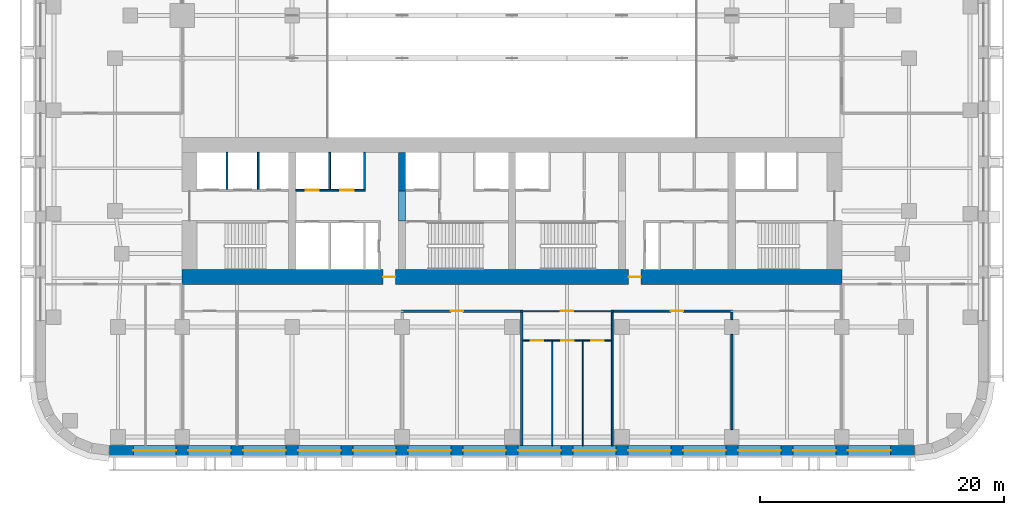
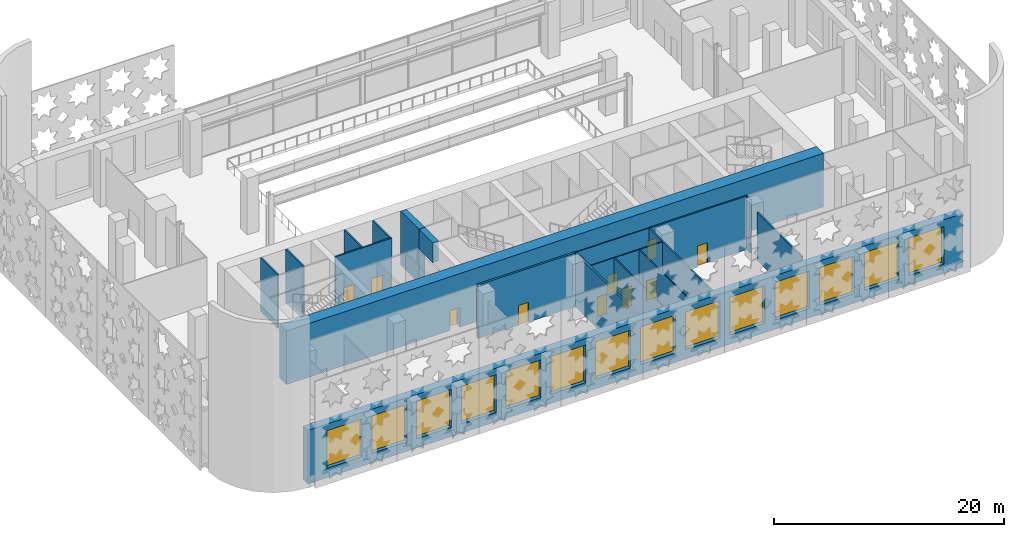
# One storey, part 5 of 17: 19 walls, 14 windows, 10 doors, 24 openings.
"""IFC4 building model written with IfcOpenShell, lengths in metres."""

from ifc_helpers import new_model, si_unit, direction, frame, frame_2d, origin, place, context, subcontext, project, spatial, rectangle, extrude, material, layer, layer_set, type_object, element, fill, save


model = new_model("IFC4")

# Units and contexts
model_context = context("Model", 3, precision=1e-05, world=origin(), true_north=direction((0.0, 1.0)))
body_context = subcontext(model_context, "Body", "Model", "MODEL_VIEW")
ifc_project = project(units=[si_unit("LENGTHUNIT", "METRE"), si_unit("AREAUNIT", "SQUARE_METRE"), si_unit("VOLUMEUNIT", "CUBIC_METRE"), si_unit("PLANEANGLEUNIT", "RADIAN"), si_unit("MASSUNIT", "GRAM", prefix="KILO")], contexts=[model_context])

# Site, building, storey
site_placement = place(None, origin())
site = spatial("IfcSite", under=ifc_project, at=site_placement, CompositionType="ELEMENT")
building_placement = place(site_placement, origin())
building = spatial("IfcBuilding", under=site, at=building_placement, Name="Zellij Exchange Tower", CompositionType="ELEMENT")
storey_placement = place(building_placement, frame((0.0, 0.0, 21.0)))
storey = spatial("IfcBuildingStorey", under=building, at=storey_placement, Name="L03", CompositionType="ELEMENT", Elevation=21.0)

# Walls
ifc_material_1 = material(Name="Concrete C70/85", Category="concrete")
ifc_layer_1 = layer(ifc_material_1, 0.60009765625)
ifc_layer_set_1 = layer_set([ifc_layer_1], Name="Concrete C70/85")
wall_type_1 = type_object("IfcWallType", Name="CORE-CW 600 C70/85", PredefinedType="SHEAR", material=ifc_layer_set_1)
wall_1_placement = place(storey_placement, frame((-9.0, -6.375, 0.0), z_axis=(0.0, 0.0, 1.0), x_axis=(0.0, 1.0, 0.0)))
element("IfcWall", 1, at=wall_1_placement, inside=storey, type_object=wall_type_1, Name="Core cross wall pier x -9 b L03", PredefinedType="SHEAR", context=body_context, shape_type="SweptSolid", body=[
    extrude(rectangle(XDim=3.175048828125, YDim=0.60009765625, at=frame_2d((1.58740234375, 0.0))), origin(), (0.0, 0.0, 1.0), 5.699951171875),
])
wall_2_placement = place(storey_placement, frame((-9.0, -8.800048828125, 3.60009765625), z_axis=(0.0, 0.0, 1.0), x_axis=(0.0, 1.0, 0.0)))
element("IfcWall", 2, at=wall_2_placement, inside=storey, type_object=wall_type_1, Name="Core cross wall over opening x -9 L03", PredefinedType="SHEAR", context=body_context, shape_type="SweptSolid", body=[
    extrude(rectangle(XDim=2.425048828125, YDim=0.60009765625, at=frame_2d((1.21240234375, 0.0))), origin(), (0.0, 0.0, 1.0), 2.099853515625),
])
ifc_material_2 = material(Name="Gypsum shaft wall system")
ifc_layer_2 = layer(ifc_material_2, 0.14990234375)
ifc_layer_set_2 = layer_set([ifc_layer_2], Name="Gypsum shaft wall system")
wall_type_2 = type_object("IfcWallType", Name="CORE-PW 150 Lift shaft wall", PredefinedType="PARTITIONING", material=ifc_layer_set_2)
for number, where, z_axis, x_axis, name in (
    (3, (-20.77490234375, -6.22509765625, 0.0), (0.0, 0.0, 1.0), (0.0, 1.0, 0.0), "Lift shaft wall L03"),
    (4, (-23.324951171875, -6.22509765625, 0.0), (0.0, 0.0, 1.0), (0.0, 1.0, 0.0), "Lift shaft wall L03"),
    (5, (-12.074951171875, -6.22509765625, 0.0), (0.0, 0.0, 1.0), (0.0, 1.0, 0.0), "Lift shaft wall L03"),
    (6, (-14.925048828125, -6.22509765625, 0.0), (0.0, 0.0, 1.0), (0.0, 1.0, 0.0), "Lift shaft wall L03"),
):
    element("IfcWall", number, at=place(storey_placement, frame(where, z_axis=z_axis, x_axis=x_axis)), inside=storey, type_object=wall_type_2, Name=name, PredefinedType="PARTITIONING", context=body_context, shape_type="SweptSolid", body=[
        extrude(rectangle(XDim=3.025146484375, YDim=0.14990234375, at=frame_2d((1.5126953125, 0.0))), origin(), (0.0, 0.0, 1.0), 5.699951171875),
    ])

# Wall, openings, doors
wall_3_placement = place(storey_placement, frame((-17.699951171875, -6.300048828125, 0.0), z_axis=(0.0, 0.0, 1.0), x_axis=(1.0, 0.0, 0.0)))
wall_3 = element("IfcWall", 7, at=wall_3_placement, inside=storey, type_object=wall_type_2, Name="Lift shaft wall L03", PredefinedType="PARTITIONING", context=body_context, shape_type="SweptSolid", body=[
    extrude(rectangle(XDim=5.699951171875, YDim=0.14990234375, at=frame_2d((2.85009765625, 0.0))), origin(), (0.0, 0.0, 1.0), 5.699951171875),
])
opening_1_placement = place(wall_3_placement, frame((0.800048828125, 0.0, 0.0)))
opening_1 = element("IfcOpeningElement", 8, at=opening_1_placement, cuts=wall_3, Name="Opening CA-05.07", PredefinedType="OPENING", context=body_context, shape_type="SweptSolid", body=[
    extrude(rectangle(XDim=1.10009765625, YDim=2.10009765625, at=frame_2d((0.550048828125, 1.050048828125))), frame((0.0, 0.0869140625, 0.0), z_axis=(0.0, -1.0, 0.0), x_axis=(1.0, 0.0, 0.0)), (0.0, 0.0, 1.0), 0.173828125),
])
opening_2_placement = place(wall_3_placement, frame((3.64990234375, 0.0, 0.0)))
opening_2 = element("IfcOpeningElement", 9, at=opening_2_placement, cuts=wall_3, Name="Opening CA-05.09", PredefinedType="OPENING", context=body_context, shape_type="SweptSolid", body=[
    extrude(rectangle(XDim=1.10009765625, YDim=2.10009765625, at=frame_2d((0.550048828125, 1.050048828125))), frame((0.0, 0.0869140625, 0.0), z_axis=(0.0, -1.0, 0.0), x_axis=(1.0, 0.0, 0.0)), (0.0, 0.0, 1.0), 0.173828125),
])
ifc_material_3 = material(Name="Hollow metal fire door")
door_type_1 = type_object("IfcDoorType", Name="CORE-D LD Lift landing door 1100x2100 1.5 HR", OperationType="NOTDEFINED", PredefinedType="DOOR", material=ifc_material_3)
door_1_placement = place(opening_1_placement, origin())
door_1 = element("IfcDoor", 10, at=door_1_placement, inside=storey, type_object=door_type_1, Name="Lift landing door CA-05.07", OperationType="SLIDING_TO_LEFT", OverallHeight=2.10009765625, OverallWidth=1.10009765625, PredefinedType="DOOR", context=body_context, shape_type="SweptSolid", body=[
    extrude(rectangle(XDim=1.10009765625, YDim=2.10009765625, at=frame_2d((0.550048828125, 1.050048828125))), frame((0.0, 0.02490234375, 0.0), z_axis=(0.0, -1.0, 0.0), x_axis=(1.0, 0.0, 0.0)), (0.0, 0.0, 1.0), 0.050048828125),
])
fill(opening_1, door_1)
door_2_placement = place(opening_2_placement, origin())
door_2 = element("IfcDoor", 11, at=door_2_placement, inside=storey, type_object=door_type_1, Name="Lift landing door CA-05.09", OperationType="SLIDING_TO_LEFT", OverallHeight=2.10009765625, OverallWidth=1.10009765625, PredefinedType="DOOR", context=body_context, shape_type="SweptSolid", body=[
    extrude(rectangle(XDim=1.10009765625, YDim=2.10009765625, at=frame_2d((0.550048828125, 1.050048828125))), frame((0.0, 0.02490234375, 0.0), z_axis=(0.0, -1.0, 0.0), x_axis=(1.0, 0.0, 0.0)), (0.0, 0.0, 1.0), 0.050048828125),
])
fill(opening_2, door_2)

ifc_layer_3 = layer(ifc_material_1, 1.199951171875)
ifc_layer_set_3 = layer_set([ifc_layer_3], Name="Concrete C70/85")
wall_type_3 = type_object("IfcWallType", Name="CORE-SW 1200 C70/85", PredefinedType="SHEAR", material=ifc_layer_set_3)
wall_4_placement = place(storey_placement, frame((-27.0, -13.39990234375, 0.0), z_axis=(0.0, 0.0, 1.0), x_axis=(1.0, 0.0, 0.0)))
wall_4 = element("IfcWall", 12, at=wall_4_placement, inside=storey, type_object=wall_type_3, Name="Core shear wall rear L03", PredefinedType="SHEAR", context=body_context, shape_type="SweptSolid", body=[
    extrude(rectangle(XDim=54.0, YDim=1.199951171875, at=frame_2d((27.0, 0.0))), origin(), (0.0, 0.0, 1.0), 5.699951171875),
])
opening_3_placement = place(wall_4_placement, frame((16.449951171875, 0.0, 0.0)))
opening_3 = element("IfcOpeningElement", 13, at=opening_3_placement, cuts=wall_4, Name="Opening CA-05.11", PredefinedType="OPENING", context=body_context, shape_type="SweptSolid", body=[
    extrude(rectangle(XDim=1.0, YDim=2.10009765625, at=frame_2d((0.5, 1.050048828125))), frame((0.0, 0.61181640625, 0.0), z_axis=(0.0, -1.0, 0.0), x_axis=(1.0, 0.0, 0.0)), (0.0, 0.0, 1.0), 1.223876953125),
])
opening_4_placement = place(wall_4_placement, frame((36.550048828125, 0.0, 0.0)))
opening_4 = element("IfcOpeningElement", 14, at=opening_4_placement, cuts=wall_4, Name="Opening CA-05.19", PredefinedType="OPENING", context=body_context, shape_type="SweptSolid", body=[
    extrude(rectangle(XDim=1.0, YDim=2.10009765625, at=frame_2d((0.5, 1.050048828125))), frame((0.0, 0.61181640625, 0.0), z_axis=(0.0, -1.0, 0.0), x_axis=(1.0, 0.0, 0.0)), (0.0, 0.0, 1.0), 1.223876953125),
])
door_type_2 = type_object("IfcDoorType", Name="CORE-D CR Core rear door 1000x2100 20 MIN", OperationType="NOTDEFINED", PredefinedType="DOOR", material=ifc_material_3)
door_3_placement = place(opening_3_placement, origin())
door_3 = element("IfcDoor", 15, at=door_3_placement, inside=storey, type_object=door_type_2, Name="Core rear door CA-05.11", OperationType="SINGLE_SWING_RIGHT", OverallHeight=2.10009765625, OverallWidth=1.0, PredefinedType="DOOR", context=body_context, shape_type="SweptSolid", body=[
    extrude(rectangle(XDim=1.0, YDim=2.10009765625, at=frame_2d((0.5, 1.050048828125))), frame((0.0, 0.02490234375, 0.0), z_axis=(0.0, -1.0, 0.0), x_axis=(1.0, 0.0, 0.0)), (0.0, 0.0, 1.0), 0.050048828125),
])
fill(opening_3, door_3)
door_4_placement = place(opening_4_placement, origin())
door_4 = element("IfcDoor", 16, at=door_4_placement, inside=storey, type_object=door_type_2, Name="Core rear door CA-05.19", OperationType="SINGLE_SWING_LEFT", OverallHeight=2.10009765625, OverallWidth=1.0, PredefinedType="DOOR", context=body_context, shape_type="SweptSolid", body=[
    extrude(rectangle(XDim=1.0, YDim=2.10009765625, at=frame_2d((0.5, 1.050048828125))), frame((0.0, 0.02490234375, 0.0), z_axis=(0.0, -1.0, 0.0), x_axis=(1.0, 0.0, 0.0)), (0.0, 0.0, 1.0), 0.050048828125),
])
fill(opening_4, door_4)

# Wall, openings, windows
ifc_material_4 = material(Name="Precast concrete C40/50", Category="concrete")
ifc_layer_4 = layer(ifc_material_4, 0.800048828125)
ifc_layer_set_4 = layer_set([ifc_layer_4], Name="Precast concrete C40/50")
wall_type_4 = type_object("IfcWallType", Name="ENV-EW1 Precast stone-piered wall 800", PredefinedType="SOLIDWALL", material=ifc_layer_set_4)
wall_5_placement = place(storey_placement, frame((-32.947509765625, -27.60009765625, 0.0), z_axis=(0.0, 0.0, 1.0), x_axis=(1.0, 0.0, 0.0)))
wall_5 = element("IfcWall", 17, at=wall_5_placement, inside=storey, type_object=wall_type_4, Name="fac.L03.00", PredefinedType="SOLIDWALL", context=body_context, shape_type="SweptSolid", body=[
    extrude(rectangle(XDim=65.89501953125, YDim=0.800048828125, at=frame_2d((32.947509765625, 0.0))), origin(), (0.0, 0.0, 1.0), 5.699951171875),
])
opening_5_placement = place(wall_5_placement, frame((1.947509765625, 0.0, 1.0)))
opening_5 = element("IfcOpeningElement", 18, at=opening_5_placement, cuts=wall_5, Name="Opening FP.01", PredefinedType="OPENING", context=body_context, shape_type="SweptSolid", body=[
    extrude(rectangle(XDim=3.5, YDim=4.0, at=frame_2d((1.75, 2.0))), frame((0.0, 0.412109375, 0.0), z_axis=(0.0, -1.0, 0.0), x_axis=(1.0, 0.0, 0.0)), (0.0, 0.0, 1.0), 0.823974609375),
])
opening_6_placement = place(wall_5_placement, frame((6.447509765625, 0.0, 1.0)))
opening_6 = element("IfcOpeningElement", 19, at=opening_6_placement, cuts=wall_5, Name="Opening FP.02", PredefinedType="OPENING", context=body_context, shape_type="SweptSolid", body=[
    extrude(rectangle(XDim=3.5, YDim=4.0, at=frame_2d((1.75, 2.0))), frame((0.0, 0.412109375, 0.0), z_axis=(0.0, -1.0, 0.0), x_axis=(1.0, 0.0, 0.0)), (0.0, 0.0, 1.0), 0.823974609375),
])
opening_7_placement = place(wall_5_placement, frame((10.947509765625, 0.0, 1.0)))
opening_7 = element("IfcOpeningElement", 20, at=opening_7_placement, cuts=wall_5, Name="Opening FP.03", PredefinedType="OPENING", context=body_context, shape_type="SweptSolid", body=[
    extrude(rectangle(XDim=3.5, YDim=4.0, at=frame_2d((1.75, 2.0))), frame((0.0, 0.412109375, 0.0), z_axis=(0.0, -1.0, 0.0), x_axis=(1.0, 0.0, 0.0)), (0.0, 0.0, 1.0), 0.823974609375),
])
opening_8_placement = place(wall_5_placement, frame((15.447509765625, 0.0, 1.0)))
opening_8 = element("IfcOpeningElement", 21, at=opening_8_placement, cuts=wall_5, Name="Opening FP.04", PredefinedType="OPENING", context=body_context, shape_type="SweptSolid", body=[
    extrude(rectangle(XDim=3.5, YDim=4.0, at=frame_2d((1.75, 2.0))), frame((0.0, 0.412109375, 0.0), z_axis=(0.0, -1.0, 0.0), x_axis=(1.0, 0.0, 0.0)), (0.0, 0.0, 1.0), 0.823974609375),
])
opening_9_placement = place(wall_5_placement, frame((19.947509765625, 0.0, 1.0)))
opening_9 = element("IfcOpeningElement", 22, at=opening_9_placement, cuts=wall_5, Name="Opening FP.05", PredefinedType="OPENING", context=body_context, shape_type="SweptSolid", body=[
    extrude(rectangle(XDim=3.5, YDim=4.0, at=frame_2d((1.75, 2.0))), frame((0.0, 0.412109375, 0.0), z_axis=(0.0, -1.0, 0.0), x_axis=(1.0, 0.0, 0.0)), (0.0, 0.0, 1.0), 0.823974609375),
])
opening_10_placement = place(wall_5_placement, frame((24.447509765625, 0.0, 1.0)))
opening_10 = element("IfcOpeningElement", 23, at=opening_10_placement, cuts=wall_5, Name="Opening FP.06", PredefinedType="OPENING", context=body_context, shape_type="SweptSolid", body=[
    extrude(rectangle(XDim=3.5, YDim=4.0, at=frame_2d((1.75, 2.0))), frame((0.0, 0.412109375, 0.0), z_axis=(0.0, -1.0, 0.0), x_axis=(1.0, 0.0, 0.0)), (0.0, 0.0, 1.0), 0.823974609375),
])
opening_11_placement = place(wall_5_placement, frame((28.947509765625, 0.0, 1.0)))
opening_11 = element("IfcOpeningElement", 24, at=opening_11_placement, cuts=wall_5, Name="Opening FP.07", PredefinedType="OPENING", context=body_context, shape_type="SweptSolid", body=[
    extrude(rectangle(XDim=3.5, YDim=4.0, at=frame_2d((1.75, 2.0))), frame((0.0, 0.412109375, 0.0), z_axis=(0.0, -1.0, 0.0), x_axis=(1.0, 0.0, 0.0)), (0.0, 0.0, 1.0), 0.823974609375),
])
opening_12_placement = place(wall_5_placement, frame((33.447509765625, 0.0, 1.0)))
opening_12 = element("IfcOpeningElement", 25, at=opening_12_placement, cuts=wall_5, Name="Opening FP.08", PredefinedType="OPENING", context=body_context, shape_type="SweptSolid", body=[
    extrude(rectangle(XDim=3.5, YDim=4.0, at=frame_2d((1.75, 2.0))), frame((0.0, 0.412109375, 0.0), z_axis=(0.0, -1.0, 0.0), x_axis=(1.0, 0.0, 0.0)), (0.0, 0.0, 1.0), 0.823974609375),
])
opening_13_placement = place(wall_5_placement, frame((37.947509765625, 0.0, 1.0)))
opening_13 = element("IfcOpeningElement", 26, at=opening_13_placement, cuts=wall_5, Name="Opening FP.09", PredefinedType="OPENING", context=body_context, shape_type="SweptSolid", body=[
    extrude(rectangle(XDim=3.5, YDim=4.0, at=frame_2d((1.75, 2.0))), frame((0.0, 0.412109375, 0.0), z_axis=(0.0, -1.0, 0.0), x_axis=(1.0, 0.0, 0.0)), (0.0, 0.0, 1.0), 0.823974609375),
])
opening_14_placement = place(wall_5_placement, frame((42.447509765625, 0.0, 1.0)))
opening_14 = element("IfcOpeningElement", 27, at=opening_14_placement, cuts=wall_5, Name="Opening FP.10", PredefinedType="OPENING", context=body_context, shape_type="SweptSolid", body=[
    extrude(rectangle(XDim=3.5, YDim=4.0, at=frame_2d((1.75, 2.0))), frame((0.0, 0.412109375, 0.0), z_axis=(0.0, -1.0, 0.0), x_axis=(1.0, 0.0, 0.0)), (0.0, 0.0, 1.0), 0.823974609375),
])
opening_15_placement = place(wall_5_placement, frame((46.947509765625, 0.0, 1.0)))
opening_15 = element("IfcOpeningElement", 28, at=opening_15_placement, cuts=wall_5, Name="Opening FP.11", PredefinedType="OPENING", context=body_context, shape_type="SweptSolid", body=[
    extrude(rectangle(XDim=3.5, YDim=4.0, at=frame_2d((1.75, 2.0))), frame((0.0, 0.412109375, 0.0), z_axis=(0.0, -1.0, 0.0), x_axis=(1.0, 0.0, 0.0)), (0.0, 0.0, 1.0), 0.823974609375),
])
opening_16_placement = place(wall_5_placement, frame((51.447509765625, 0.0, 1.0)))
opening_16 = element("IfcOpeningElement", 29, at=opening_16_placement, cuts=wall_5, Name="Opening FP.12", PredefinedType="OPENING", context=body_context, shape_type="SweptSolid", body=[
    extrude(rectangle(XDim=3.5, YDim=4.0, at=frame_2d((1.75, 2.0))), frame((0.0, 0.412109375, 0.0), z_axis=(0.0, -1.0, 0.0), x_axis=(1.0, 0.0, 0.0)), (0.0, 0.0, 1.0), 0.823974609375),
])
opening_17_placement = place(wall_5_placement, frame((55.947509765625, 0.0, 1.0)))
opening_17 = element("IfcOpeningElement", 30, at=opening_17_placement, cuts=wall_5, Name="Opening FP.13", PredefinedType="OPENING", context=body_context, shape_type="SweptSolid", body=[
    extrude(rectangle(XDim=3.5, YDim=4.0, at=frame_2d((1.75, 2.0))), frame((0.0, 0.412109375, 0.0), z_axis=(0.0, -1.0, 0.0), x_axis=(1.0, 0.0, 0.0)), (0.0, 0.0, 1.0), 0.823974609375),
])
opening_18_placement = place(wall_5_placement, frame((60.447509765625, 0.0, 1.0)))
opening_18 = element("IfcOpeningElement", 31, at=opening_18_placement, cuts=wall_5, Name="Opening FP.14", PredefinedType="OPENING", context=body_context, shape_type="SweptSolid", body=[
    extrude(rectangle(XDim=3.5, YDim=4.0, at=frame_2d((1.75, 2.0))), frame((0.0, 0.412109375, 0.0), z_axis=(0.0, -1.0, 0.0), x_axis=(1.0, 0.0, 0.0)), (0.0, 0.0, 1.0), 0.823974609375),
])
ifc_material_5 = material(Name="Aluminium frame with insulating glass", Category="aluminium")
window_type = type_object("IfcWindowType", Name="ENV-W2 Window 3500x4000", PartitioningType="SINGLE_PANEL", PredefinedType="WINDOW", material=ifc_material_5)
window_1_placement = place(opening_5_placement, origin())
window_1 = element("IfcWindow", 32, at=window_1_placement, inside=storey, type_object=window_type, Name="Window FP.01", OverallHeight=4.0, OverallWidth=3.5, PartitioningType="SINGLE_PANEL", PredefinedType="WINDOW", context=body_context, shape_type="SweptSolid", body=[
    extrude(rectangle(XDim=3.5, YDim=4.0, at=frame_2d((1.75, 2.0))), frame((0.0, 0.030029296875, 0.0), z_axis=(0.0, -1.0, 0.0), x_axis=(1.0, 0.0, 0.0)), (0.0, 0.0, 1.0), 0.06005859375),
])
fill(opening_5, window_1)
window_2_placement = place(opening_6_placement, origin())
window_2 = element("IfcWindow", 33, at=window_2_placement, inside=storey, type_object=window_type, Name="Window FP.02", OverallHeight=4.0, OverallWidth=3.5, PartitioningType="SINGLE_PANEL", PredefinedType="WINDOW", context=body_context, shape_type="SweptSolid", body=[
    extrude(rectangle(XDim=3.5, YDim=4.0, at=frame_2d((1.75, 2.0))), frame((0.0, 0.030029296875, 0.0), z_axis=(0.0, -1.0, 0.0), x_axis=(1.0, 0.0, 0.0)), (0.0, 0.0, 1.0), 0.06005859375),
])
fill(opening_6, window_2)
window_3_placement = place(opening_7_placement, origin())
window_3 = element("IfcWindow", 34, at=window_3_placement, inside=storey, type_object=window_type, Name="Window FP.03", OverallHeight=4.0, OverallWidth=3.5, PartitioningType="SINGLE_PANEL", PredefinedType="WINDOW", context=body_context, shape_type="SweptSolid", body=[
    extrude(rectangle(XDim=3.5, YDim=4.0, at=frame_2d((1.75, 2.0))), frame((0.0, 0.030029296875, 0.0), z_axis=(0.0, -1.0, 0.0), x_axis=(1.0, 0.0, 0.0)), (0.0, 0.0, 1.0), 0.06005859375),
])
fill(opening_7, window_3)
window_4_placement = place(opening_8_placement, origin())
window_4 = element("IfcWindow", 35, at=window_4_placement, inside=storey, type_object=window_type, Name="Window FP.04", OverallHeight=4.0, OverallWidth=3.5, PartitioningType="SINGLE_PANEL", PredefinedType="WINDOW", context=body_context, shape_type="SweptSolid", body=[
    extrude(rectangle(XDim=3.5, YDim=4.0, at=frame_2d((1.75, 2.0))), frame((0.0, 0.030029296875, 0.0), z_axis=(0.0, -1.0, 0.0), x_axis=(1.0, 0.0, 0.0)), (0.0, 0.0, 1.0), 0.06005859375),
])
fill(opening_8, window_4)
window_5_placement = place(opening_9_placement, origin())
window_5 = element("IfcWindow", 36, at=window_5_placement, inside=storey, type_object=window_type, Name="Window FP.05", OverallHeight=4.0, OverallWidth=3.5, PartitioningType="SINGLE_PANEL", PredefinedType="WINDOW", context=body_context, shape_type="SweptSolid", body=[
    extrude(rectangle(XDim=3.5, YDim=4.0, at=frame_2d((1.75, 2.0))), frame((0.0, 0.030029296875, 0.0), z_axis=(0.0, -1.0, 0.0), x_axis=(1.0, 0.0, 0.0)), (0.0, 0.0, 1.0), 0.06005859375),
])
fill(opening_9, window_5)
window_6_placement = place(opening_10_placement, origin())
window_6 = element("IfcWindow", 37, at=window_6_placement, inside=storey, type_object=window_type, Name="Window FP.06", OverallHeight=4.0, OverallWidth=3.5, PartitioningType="SINGLE_PANEL", PredefinedType="WINDOW", context=body_context, shape_type="SweptSolid", body=[
    extrude(rectangle(XDim=3.5, YDim=4.0, at=frame_2d((1.75, 2.0))), frame((0.0, 0.030029296875, 0.0), z_axis=(0.0, -1.0, 0.0), x_axis=(1.0, 0.0, 0.0)), (0.0, 0.0, 1.0), 0.06005859375),
])
fill(opening_10, window_6)
window_7_placement = place(opening_11_placement, origin())
window_7 = element("IfcWindow", 38, at=window_7_placement, inside=storey, type_object=window_type, Name="Window FP.07", OverallHeight=4.0, OverallWidth=3.5, PartitioningType="SINGLE_PANEL", PredefinedType="WINDOW", context=body_context, shape_type="SweptSolid", body=[
    extrude(rectangle(XDim=3.5, YDim=4.0, at=frame_2d((1.75, 2.0))), frame((0.0, 0.030029296875, 0.0), z_axis=(0.0, -1.0, 0.0), x_axis=(1.0, 0.0, 0.0)), (0.0, 0.0, 1.0), 0.06005859375),
])
fill(opening_11, window_7)
window_8_placement = place(opening_12_placement, origin())
window_8 = element("IfcWindow", 39, at=window_8_placement, inside=storey, type_object=window_type, Name="Window FP.08", OverallHeight=4.0, OverallWidth=3.5, PartitioningType="SINGLE_PANEL", PredefinedType="WINDOW", context=body_context, shape_type="SweptSolid", body=[
    extrude(rectangle(XDim=3.5, YDim=4.0, at=frame_2d((1.75, 2.0))), frame((0.0, 0.030029296875, 0.0), z_axis=(0.0, -1.0, 0.0), x_axis=(1.0, 0.0, 0.0)), (0.0, 0.0, 1.0), 0.06005859375),
])
fill(opening_12, window_8)
window_9_placement = place(opening_13_placement, origin())
window_9 = element("IfcWindow", 40, at=window_9_placement, inside=storey, type_object=window_type, Name="Window FP.09", OverallHeight=4.0, OverallWidth=3.5, PartitioningType="SINGLE_PANEL", PredefinedType="WINDOW", context=body_context, shape_type="SweptSolid", body=[
    extrude(rectangle(XDim=3.5, YDim=4.0, at=frame_2d((1.75, 2.0))), frame((0.0, 0.030029296875, 0.0), z_axis=(0.0, -1.0, 0.0), x_axis=(1.0, 0.0, 0.0)), (0.0, 0.0, 1.0), 0.06005859375),
])
fill(opening_13, window_9)
window_10_placement = place(opening_14_placement, origin())
window_10 = element("IfcWindow", 41, at=window_10_placement, inside=storey, type_object=window_type, Name="Window FP.10", OverallHeight=4.0, OverallWidth=3.5, PartitioningType="SINGLE_PANEL", PredefinedType="WINDOW", context=body_context, shape_type="SweptSolid", body=[
    extrude(rectangle(XDim=3.5, YDim=4.0, at=frame_2d((1.75, 2.0))), frame((0.0, 0.030029296875, 0.0), z_axis=(0.0, -1.0, 0.0), x_axis=(1.0, 0.0, 0.0)), (0.0, 0.0, 1.0), 0.06005859375),
])
fill(opening_14, window_10)
window_11_placement = place(opening_15_placement, origin())
window_11 = element("IfcWindow", 42, at=window_11_placement, inside=storey, type_object=window_type, Name="Window FP.11", OverallHeight=4.0, OverallWidth=3.5, PartitioningType="SINGLE_PANEL", PredefinedType="WINDOW", context=body_context, shape_type="SweptSolid", body=[
    extrude(rectangle(XDim=3.5, YDim=4.0, at=frame_2d((1.75, 2.0))), frame((0.0, 0.030029296875, 0.0), z_axis=(0.0, -1.0, 0.0), x_axis=(1.0, 0.0, 0.0)), (0.0, 0.0, 1.0), 0.06005859375),
])
fill(opening_15, window_11)
window_12_placement = place(opening_16_placement, origin())
window_12 = element("IfcWindow", 43, at=window_12_placement, inside=storey, type_object=window_type, Name="Window FP.12", OverallHeight=4.0, OverallWidth=3.5, PartitioningType="SINGLE_PANEL", PredefinedType="WINDOW", context=body_context, shape_type="SweptSolid", body=[
    extrude(rectangle(XDim=3.5, YDim=4.0, at=frame_2d((1.75, 2.0))), frame((0.0, 0.030029296875, 0.0), z_axis=(0.0, -1.0, 0.0), x_axis=(1.0, 0.0, 0.0)), (0.0, 0.0, 1.0), 0.06005859375),
])
fill(opening_16, window_12)
window_13_placement = place(opening_17_placement, origin())
window_13 = element("IfcWindow", 44, at=window_13_placement, inside=storey, type_object=window_type, Name="Window FP.13", OverallHeight=4.0, OverallWidth=3.5, PartitioningType="SINGLE_PANEL", PredefinedType="WINDOW", context=body_context, shape_type="SweptSolid", body=[
    extrude(rectangle(XDim=3.5, YDim=4.0, at=frame_2d((1.75, 2.0))), frame((0.0, 0.030029296875, 0.0), z_axis=(0.0, -1.0, 0.0), x_axis=(1.0, 0.0, 0.0)), (0.0, 0.0, 1.0), 0.06005859375),
])
fill(opening_17, window_13)
window_14_placement = place(opening_18_placement, origin())
window_14 = element("IfcWindow", 45, at=window_14_placement, inside=storey, type_object=window_type, Name="Window FP.14", OverallHeight=4.0, OverallWidth=3.5, PartitioningType="SINGLE_PANEL", PredefinedType="WINDOW", context=body_context, shape_type="SweptSolid", body=[
    extrude(rectangle(XDim=3.5, YDim=4.0, at=frame_2d((1.75, 2.0))), frame((0.0, 0.030029296875, 0.0), z_axis=(0.0, -1.0, 0.0), x_axis=(1.0, 0.0, 0.0)), (0.0, 0.0, 1.0), 0.06005859375),
])
fill(opening_18, window_14)

# Wall
ifc_material_6 = material(Name="Blockwork partition", Category="masonry")
ifc_layer_5 = layer(ifc_material_6, 0.199951171875)
ifc_layer_set_5 = layer_set([ifc_layer_5], Name="Blockwork partition")
wall_type_5 = type_object("IfcWallType", Name="FIT-BLOCKWORK-200", PredefinedType="PARTITIONING", material=ifc_layer_set_5)
wall_6_placement = place(storey_placement, frame((0.800048828125, -27.199951171875, 0.0), z_axis=(0.0, 0.0, 1.0), x_axis=(0.0, 1.0, 0.0)))
element("IfcWall", 46, at=wall_6_placement, inside=storey, type_object=wall_type_5, Name="FIT-BLOCKWORK-200 008", PredefinedType="PARTITIONING", context=body_context, shape_type="SweptSolid", body=[
    extrude(rectangle(XDim=10.89990234375, YDim=0.199951171875, at=frame_2d((5.449951171875, 0.0))), origin(), (0.0, 0.0, 1.0), 5.699951171875),
])

# Wall, opening, door
wall_7_placement = place(storey_placement, frame((-9.10009765625, -16.199951171875, 0.0), z_axis=(0.0, 0.0, 1.0), x_axis=(1.0, 0.0, 0.0)))
wall_7 = element("IfcWall", 47, at=wall_7_placement, inside=storey, type_object=wall_type_5, Name="FIT-BLOCKWORK-200 019", PredefinedType="PARTITIONING", context=body_context, shape_type="SweptSolid", body=[
    extrude(rectangle(XDim=10.0, YDim=0.199951171875, at=frame_2d((5.0, 0.0))), origin(), (0.0, 0.0, 1.0), 5.699951171875),
])
opening_19_placement = place(wall_7_placement, frame((4.10009765625, 0.0, 0.0)))
opening_19 = element("IfcOpeningElement", 48, at=opening_19_placement, cuts=wall_7, Name="Opening P3.06", PredefinedType="OPENING", context=body_context, shape_type="SweptSolid", body=[
    extrude(rectangle(XDim=1.0, YDim=2.10009765625, at=frame_2d((0.5, 1.050048828125))), frame((0.0, 0.11181640625, 0.0), z_axis=(0.0, -1.0, 0.0), x_axis=(1.0, 0.0, 0.0)), (0.0, 0.0, 1.0), 0.223876953125),
])
ifc_material_7 = material(Name="Timber door set", Category="wood")
door_type_3 = type_object("IfcDoorType", Name="FIT-D2-WIDE-1000X2100", OperationType="SINGLE_SWING_LEFT", PredefinedType="DOOR", material=ifc_material_7)
door_5_placement = place(opening_19_placement, origin())
door_5 = element("IfcDoor", 49, at=door_5_placement, inside=storey, type_object=door_type_3, Name="Door P3.06", OperationType="SINGLE_SWING_RIGHT", OverallHeight=2.10009765625, OverallWidth=1.0, PredefinedType="DOOR", context=body_context, shape_type="SweptSolid", body=[
    extrude(rectangle(XDim=1.0, YDim=2.10009765625, at=frame_2d((0.5, 1.050048828125))), frame((0.0, 0.02490234375, 0.0), z_axis=(0.0, -1.0, 0.0), x_axis=(1.0, 0.0, 0.0)), (0.0, 0.0, 1.0), 0.050048828125),
])
fill(opening_19, door_5)

# Walls
ifc_material_8 = material(Name="Gypsum board partition on steel studs", Category="steel")
ifc_layer_6 = layer(ifc_material_8, 0.10009765625)
ifc_layer_set_6 = layer_set([ifc_layer_6], Name="Gypsum board partition on steel studs")
wall_type_6 = type_object("IfcWallType", Name="FIT-PARTITION-100", PredefinedType="PARTITIONING", material=ifc_layer_set_6)
for number, where, z_axis, x_axis, name in (
    (50, (3.300048828125, -27.199951171875, 0.0), (0.0, 0.0, 1.0), (0.0, 1.0, 0.0), "FIT-PARTITION-100 009"),
    (51, (5.800048828125, -27.199951171875, 0.0), (0.0, 0.0, 1.0), (0.0, 1.0, 0.0), "FIT-PARTITION-100 010"),
):
    element("IfcWall", number, at=place(storey_placement, frame(where, z_axis=z_axis, x_axis=x_axis)), inside=storey, type_object=wall_type_6, Name=name, PredefinedType="PARTITIONING", context=body_context, shape_type="SweptSolid", body=[
        extrude(rectangle(XDim=8.550048828125, YDim=0.10009765625, at=frame_2d((4.27490234375, 0.0))), origin(), (0.0, 0.0, 1.0), 5.699951171875),
    ])

# Wall, openings, doors
wall_8_placement = place(storey_placement, frame((0.89990234375, -18.60009765625, 0.0), z_axis=(0.0, 0.0, 1.0), x_axis=(1.0, 0.0, 0.0)))
wall_8 = element("IfcWall", 52, at=wall_8_placement, inside=storey, type_object=wall_type_6, Name="FIT-PARTITION-100 017", PredefinedType="PARTITIONING", context=body_context, shape_type="SweptSolid", body=[
    extrude(rectangle(XDim=7.22509765625, YDim=0.10009765625, at=frame_2d((3.612548828125, 0.0))), origin(), (0.0, 0.0, 1.0), 5.699951171875),
])
opening_20_placement = place(wall_8_placement, frame((0.64990234375, 0.0, 0.0)))
opening_20 = element("IfcOpeningElement", 53, at=opening_20_placement, cuts=wall_8, Name="Opening P3.01", PredefinedType="OPENING", context=body_context, shape_type="SweptSolid", body=[
    extrude(rectangle(XDim=1.0, YDim=2.10009765625, at=frame_2d((0.5, 1.050048828125))), frame((0.0, 0.06201171875, 0.0), z_axis=(0.0, -1.0, 0.0), x_axis=(1.0, 0.0, 0.0)), (0.0, 0.0, 1.0), 0.1240234375),
])
opening_21_placement = place(wall_8_placement, frame((3.14990234375, 0.0, 0.0)))
opening_21 = element("IfcOpeningElement", 54, at=opening_21_placement, cuts=wall_8, Name="Opening P3.02", PredefinedType="OPENING", context=body_context, shape_type="SweptSolid", body=[
    extrude(rectangle(XDim=1.0, YDim=2.10009765625, at=frame_2d((0.5, 1.050048828125))), frame((0.0, 0.06201171875, 0.0), z_axis=(0.0, -1.0, 0.0), x_axis=(1.0, 0.0, 0.0)), (0.0, 0.0, 1.0), 0.1240234375),
])
opening_22_placement = place(wall_8_placement, frame((5.60009765625, 0.0, 0.0)))
opening_22 = element("IfcOpeningElement", 55, at=opening_22_placement, cuts=wall_8, Name="Opening P3.03", PredefinedType="OPENING", context=body_context, shape_type="SweptSolid", body=[
    extrude(rectangle(XDim=1.0, YDim=2.10009765625, at=frame_2d((0.5, 1.050048828125))), frame((0.0, 0.06201171875, 0.0), z_axis=(0.0, -1.0, 0.0), x_axis=(1.0, 0.0, 0.0)), (0.0, 0.0, 1.0), 0.1240234375),
])
door_6_placement = place(opening_20_placement, origin())
door_6 = element("IfcDoor", 56, at=door_6_placement, inside=storey, type_object=door_type_3, Name="Door P3.01", OperationType="SINGLE_SWING_LEFT", OverallHeight=2.10009765625, OverallWidth=1.0, PredefinedType="DOOR", context=body_context, shape_type="SweptSolid", body=[
    extrude(rectangle(XDim=1.0, YDim=2.10009765625, at=frame_2d((0.5, 1.050048828125))), frame((0.0, 0.02490234375, 0.0), z_axis=(0.0, -1.0, 0.0), x_axis=(1.0, 0.0, 0.0)), (0.0, 0.0, 1.0), 0.050048828125),
])
fill(opening_20, door_6)
door_7_placement = place(opening_21_placement, origin())
door_7 = element("IfcDoor", 57, at=door_7_placement, inside=storey, type_object=door_type_3, Name="Door P3.02", OperationType="SINGLE_SWING_LEFT", OverallHeight=2.10009765625, OverallWidth=1.0, PredefinedType="DOOR", context=body_context, shape_type="SweptSolid", body=[
    extrude(rectangle(XDim=1.0, YDim=2.10009765625, at=frame_2d((0.5, 1.050048828125))), frame((0.0, 0.02490234375, 0.0), z_axis=(0.0, -1.0, 0.0), x_axis=(1.0, 0.0, 0.0)), (0.0, 0.0, 1.0), 0.050048828125),
])
fill(opening_21, door_7)
door_8_placement = place(opening_22_placement, origin())
door_8 = element("IfcDoor", 58, at=door_8_placement, inside=storey, type_object=door_type_3, Name="Door P3.03", OperationType="SINGLE_SWING_RIGHT", OverallHeight=2.10009765625, OverallWidth=1.0, PredefinedType="DOOR", context=body_context, shape_type="SweptSolid", body=[
    extrude(rectangle(XDim=1.0, YDim=2.10009765625, at=frame_2d((0.5, 1.050048828125))), frame((0.0, 0.02490234375, 0.0), z_axis=(0.0, -1.0, 0.0), x_axis=(1.0, 0.0, 0.0)), (0.0, 0.0, 1.0), 0.050048828125),
])
fill(opening_22, door_8)

# Wall, opening, door
wall_9_placement = place(storey_placement, frame((0.699951171875, -16.199951171875, 0.0), z_axis=(0.0, 0.0, 1.0), x_axis=(1.0, 0.0, 0.0)))
wall_9 = element("IfcWall", 59, at=wall_9_placement, inside=storey, type_object=wall_type_6, Name="FIT-PARTITION-100 020", PredefinedType="PARTITIONING", context=body_context, shape_type="SweptSolid", body=[
    extrude(rectangle(XDim=7.574951171875, YDim=0.10009765625, at=frame_2d((3.78759765625, 0.0))), origin(), (0.0, 0.0, 1.0), 5.699951171875),
])
opening_23_placement = place(wall_9_placement, frame((3.300048828125, 0.0, 0.0)))
opening_23 = element("IfcOpeningElement", 60, at=opening_23_placement, cuts=wall_9, Name="Opening P3.07", PredefinedType="OPENING", context=body_context, shape_type="SweptSolid", body=[
    extrude(rectangle(XDim=1.0, YDim=2.10009765625, at=frame_2d((0.5, 1.050048828125))), frame((0.0, 0.06201171875, 0.0), z_axis=(0.0, -1.0, 0.0), x_axis=(1.0, 0.0, 0.0)), (0.0, 0.0, 1.0), 0.1240234375),
])
door_9_placement = place(opening_23_placement, origin())
door_9 = element("IfcDoor", 61, at=door_9_placement, inside=storey, type_object=door_type_3, Name="Door P3.07", OperationType="SINGLE_SWING_RIGHT", OverallHeight=2.10009765625, OverallWidth=1.0, PredefinedType="DOOR", context=body_context, shape_type="SweptSolid", body=[
    extrude(rectangle(XDim=1.0, YDim=2.10009765625, at=frame_2d((0.5, 1.050048828125))), frame((0.0, 0.02490234375, 0.0), z_axis=(0.0, -1.0, 0.0), x_axis=(1.0, 0.0, 0.0)), (0.0, 0.0, 1.0), 0.050048828125),
])
fill(opening_23, door_9)

# Walls
ifc_material_9 = material(Name="Gypsum board shaft-wall partition", Category="gypsum")
ifc_layer_7 = layer(ifc_material_9, 0.14990234375)
ifc_layer_set_7 = layer_set([ifc_layer_7], Name="Gypsum board shaft-wall partition")
wall_type_7 = type_object("IfcWallType", Name="FIT-PARTITION-150-EI60", PredefinedType="PARTITIONING", material=ifc_layer_set_7)
wall_10_placement = place(storey_placement, frame((8.199951171875, -27.199951171875, 0.0), z_axis=(0.0, 0.0, 1.0), x_axis=(0.0, 1.0, 0.0)))
element("IfcWall", 62, at=wall_10_placement, inside=storey, type_object=wall_type_7, Name="FIT-PARTITION-150-EI60 011", PredefinedType="PARTITIONING", context=body_context, shape_type="SweptSolid", body=[
    extrude(rectangle(XDim=10.925048828125, YDim=0.14990234375, at=frame_2d((5.46240234375, 0.0))), origin(), (0.0, 0.0, 1.0), 5.699951171875),
])
wall_11_placement = place(storey_placement, frame((18.0, -25.89990234375, 0.0), z_axis=(0.0, 0.0, 1.0), x_axis=(0.0, 1.0, 0.0)))
element("IfcWall", 63, at=wall_11_placement, inside=storey, type_object=wall_type_7, Name="FIT-PARTITION-150-EI60 012", PredefinedType="PARTITIONING", context=body_context, shape_type="SweptSolid", body=[
    extrude(rectangle(XDim=7.7998046875, YDim=0.14990234375, at=frame_2d((3.89990234375, 0.0))), origin(), (0.0, 0.0, 1.0), 5.087890625),
])
wall_12_placement = place(storey_placement, frame((18.0, -16.89990234375, 0.0), z_axis=(0.0, 0.0, 1.0), x_axis=(0.0, 1.0, 0.0)))
element("IfcWall", 64, at=wall_12_placement, inside=storey, type_object=wall_type_7, Name="FIT-PARTITION-150-EI60 013", PredefinedType="PARTITIONING", context=body_context, shape_type="SweptSolid", body=[
    extrude(rectangle(XDim=0.625, YDim=0.14990234375, at=frame_2d((0.3125, 0.0))), origin(), (0.0, 0.0, 1.0), 5.699951171875),
])

# Wall, opening, door
wall_13_placement = place(storey_placement, frame((8.125, -16.199951171875, 0.0), z_axis=(0.0, 0.0, 1.0), x_axis=(1.0, 0.0, 0.0)))
wall_13 = element("IfcWall", 65, at=wall_13_placement, inside=storey, type_object=wall_type_7, Name="FIT-PARTITION-150-EI60 021", PredefinedType="PARTITIONING", context=body_context, shape_type="SweptSolid", body=[
    extrude(rectangle(XDim=9.949951171875, YDim=0.14990234375, at=frame_2d((4.97509765625, 0.0))), origin(), (0.0, 0.0, 1.0), 5.699951171875),
])
opening_24_placement = place(wall_13_placement, frame((4.875, 0.0, 0.0)))
opening_24 = element("IfcOpeningElement", 66, at=opening_24_placement, cuts=wall_13, Name="Opening P3.08", PredefinedType="OPENING", context=body_context, shape_type="SweptSolid", body=[
    extrude(rectangle(XDim=1.0, YDim=2.10009765625, at=frame_2d((0.5, 1.050048828125))), frame((0.0, 0.0869140625, 0.0), z_axis=(0.0, -1.0, 0.0), x_axis=(1.0, 0.0, 0.0)), (0.0, 0.0, 1.0), 0.173828125),
])
door_10_placement = place(opening_24_placement, origin())
door_10 = element("IfcDoor", 67, at=door_10_placement, inside=storey, type_object=door_type_3, Name="Door P3.08", OperationType="SINGLE_SWING_LEFT", OverallHeight=2.10009765625, OverallWidth=1.0, PredefinedType="DOOR", context=body_context, shape_type="SweptSolid", body=[
    extrude(rectangle(XDim=1.0, YDim=2.10009765625, at=frame_2d((0.5, 1.050048828125))), frame((0.0, 0.02490234375, 0.0), z_axis=(0.0, -1.0, 0.0), x_axis=(1.0, 0.0, 0.0)), (0.0, 0.0, 1.0), 0.050048828125),
])
fill(opening_24, door_10)

save(model, "model.ifc")
